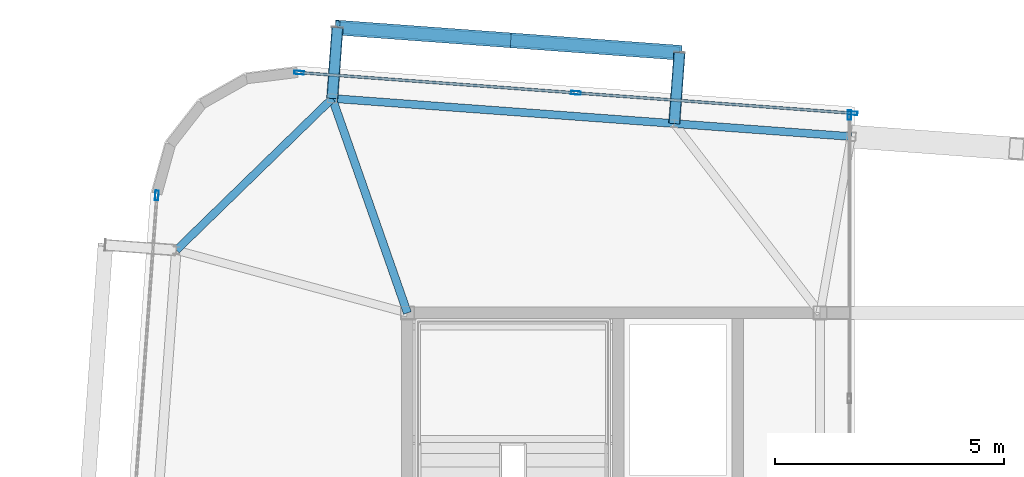
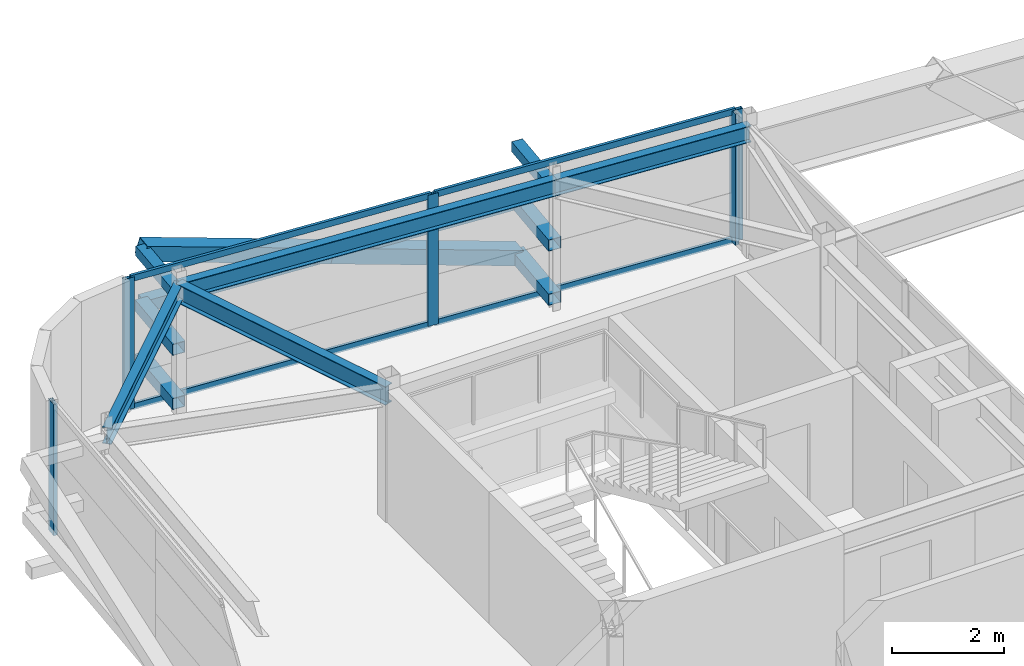
# One storey, part 24 of 40: 18 members, 4 beams, 3 elements without a shape of their own.
"""IFC4 building model written with IfcOpenShell, lengths in metres."""

from ifc_helpers import new_model, si_unit, direction, frame, origin, origin_2d, place, context, subcontext, project, spatial, hollow_rectangle, i_section, extrude, source, transform, mapped, material, layer, layer_set, material_profile, profile_set, type_object, element, aggregate, save


model = new_model("IFC4")

# Units and contexts
model_context = context("Model", 3, precision=1e-05, world=origin(), true_north=direction((0.0, 1.0)))
body_context = subcontext(model_context, "Body", "Model", "MODEL_VIEW")
ifc_project = project(units=[si_unit("LENGTHUNIT", "METRE"), si_unit("AREAUNIT", "SQUARE_METRE"), si_unit("VOLUMEUNIT", "CUBIC_METRE"), si_unit("PLANEANGLEUNIT", "RADIAN"), si_unit("MASSUNIT", "GRAM", prefix="KILO")], contexts=[model_context])

# Site, building, storey
site_placement = place(None, origin())
site = spatial("IfcSite", under=ifc_project, at=site_placement, CompositionType="ELEMENT")
building_placement = place(site_placement, origin())
building = spatial("IfcBuilding", under=site, at=building_placement, Name="Taldren Reach Tower", CompositionType="ELEMENT")
storey_placement = place(building_placement, frame((0.0, 0.0, 233.449951171875)))
storey = spatial("IfcBuildingStorey", under=building, at=storey_placement, Name="L71", CompositionType="ELEMENT", Elevation=233.449951171875)

# Members
ifc_material_1 = material(Name="Steel Gr 350 (C350L0)", Category="steel")
ifc_material_profile_1 = material_profile(ifc_material_1, hollow_rectangle(XDim=0.25, YDim=0.25, WallThickness=0.010009765625, at=origin_2d()), Name="250x250x10.0SHS")
ifc_profile_set_1 = profile_set([ifc_material_profile_1], Name="Steel Gr 350 (C350L0)")
member_type_1 = type_object("IfcMemberType", Name="MB-POST250", PredefinedType="POST", material=ifc_profile_set_1)
shared_shape_1 = source(origin(), body_context, "Body", "SweptSolid", [
    extrude(hollow_rectangle(XDim=0.25, YDim=0.25, WallThickness=0.010009765625, at=origin_2d()), origin(), (0.0, 0.0, 1.0), 1.5498046875),
])
for number, where, z_axis, x_axis, name in (
    (1, (17.35986328125, 36.678955078125, 0.219970703125), (0.073250797913, 0.997313551801, 0.0), (-0.997313551801, 0.073250797913, 0.0), "Exoskeleton base diaphragm tie strut B5-N1 L71"),
    (2, (17.35986328125, 36.678955078125, 1.405029296875), (0.073250797913, 0.997313551801, 0.0), (-0.997313551801, 0.073250797913, 0.0), "Exoskeleton mid-tier diaphragm tie B5-N1 L71"),
):
    element("IfcMember", number, at=place(storey_placement, frame(where, z_axis=z_axis, x_axis=x_axis)), inside=storey, type_object=member_type_1, Name=name, PredefinedType="POST", context=body_context, shape_type="MappedRepresentation", body=[
        mapped(shared_shape_1, transform((0.0, 0.0, 0.0), scale=1.0)),
    ])
shared_shape_2 = source(origin(), body_context, "Body", "SweptSolid", [
    extrude(hollow_rectangle(XDim=0.25, YDim=0.25, WallThickness=0.010009765625, at=origin_2d()), origin(), (0.0, 0.0, 1.0), 1.550048828125),
])
for number, where, z_axis, x_axis, name in (
    (3, (24.819580078125, 36.131103515625, 0.219970703125), (0.07323929162, 0.997314396849, 0.0), (-0.997314396849, 0.07323929162, 0.0), "Exoskeleton base diaphragm tie strut B5-N2 L71"),
    (4, (24.819580078125, 36.131103515625, 1.405029296875), (0.07323929162, 0.997314396849, 0.0), (-0.997314396849, 0.07323929162, 0.0), "Exoskeleton mid-tier diaphragm tie B5-N2 L71"),
):
    element("IfcMember", number, at=place(storey_placement, frame(where, z_axis=z_axis, x_axis=x_axis)), inside=storey, type_object=member_type_1, Name=name, PredefinedType="POST", context=body_context, shape_type="MappedRepresentation", body=[
        mapped(shared_shape_2, transform((0.0, 0.0, 0.0), scale=1.0)),
    ])
ifc_material_2 = material(Name="Steel Gr 450 (C450L0)", Category="steel")
ifc_material_profile_2 = material_profile(ifc_material_2, hollow_rectangle(XDim=0.219970703125, YDim=0.219970703125, WallThickness=0.00830078125, at=origin_2d()), Name="220x220x8.2SHS")
ifc_profile_set_2 = profile_set([ifc_material_profile_2], Name="Steel Gr 450 (C450L0)")
member_type_2 = type_object("IfcMemberType", Name="MB-TIE219", PredefinedType="STRUT", material=ifc_profile_set_2)
shared_shape_3 = source(origin(), body_context, "Body", "SweptSolid", [
    extrude(hollow_rectangle(XDim=0.219970703125, YDim=0.219970703125, WallThickness=0.00830078125, at=origin_2d()), origin(), (0.0, 0.0, 1.0), 1.5498046875),
])
member_1_placement = place(storey_placement, frame((17.35986328125, 36.678955078125, 2.590087890625), z_axis=(0.073250797913, 0.997313551801, 0.0), x_axis=(-0.997313551801, 0.073250797913, 0.0)))
element("IfcMember", 5, at=member_1_placement, inside=storey, type_object=member_type_2, Name="Exoskeleton diaphragm tie strut B5-N1 L71", PredefinedType="STRUT", context=body_context, shape_type="MappedRepresentation", body=[
    mapped(shared_shape_3, transform((0.0, 0.0, 0.0), scale=1.0)),
])
shared_shape_4 = source(origin(), body_context, "Body", "SweptSolid", [
    extrude(hollow_rectangle(XDim=0.219970703125, YDim=0.219970703125, WallThickness=0.00830078125, at=origin_2d()), origin(), (0.0, 0.0, 1.0), 1.550048828125),
])
member_2_placement = place(storey_placement, frame((24.819580078125, 36.131103515625, 2.590087890625), z_axis=(0.07323929162, 0.997314396849, 0.0), x_axis=(-0.997314396849, 0.07323929162, 0.0)))
element("IfcMember", 6, at=member_2_placement, inside=storey, type_object=member_type_2, Name="Exoskeleton diaphragm tie strut B5-N2 L71", PredefinedType="STRUT", context=body_context, shape_type="MappedRepresentation", body=[
    mapped(shared_shape_4, transform((0.0, 0.0, 0.0), scale=1.0)),
])

# Beams
ifc_material_3 = material(Name="Steel Gr 350 (350PLUS)", Category="steel")
ifc_material_profile_3 = material_profile(ifc_material_3, i_section(OverallWidth=0.172119140625, OverallDepth=0.35888671875, WebThickness=0.008056640625, FlangeThickness=0.012939453125, at=origin_2d()), Name="360UB56.7")
ifc_profile_set_3 = profile_set([ifc_material_profile_3], Name="Steel Gr 350 (350PLUS)")
beam_type_1 = type_object("IfcBeamType", Name="SP-UB360", PredefinedType="SPANDREL", material=ifc_profile_set_3)
shared_shape_5 = source(origin(), body_context, "Body", "SweptSolid", [
    extrude(i_section(OverallWidth=0.172119140625, OverallDepth=0.35888671875, WebThickness=0.008056640625, FlangeThickness=0.012939453125, at=origin_2d()), origin(), (0.0, 0.0, 1.0), 7.479736328125),
])
beam_1_placement = place(storey_placement, frame((24.819580078125, 36.131103515625, 2.6904296875), z_axis=(-0.997314045547, 0.073244075215, 0.0), x_axis=(-0.073244075215, -0.997314045547, 0.0)))
element("IfcBeam", 7, at=beam_1_placement, inside=storey, type_object=beam_type_1, Name="Perimeter spandrel B5 N2-N1 L71", PredefinedType="SPANDREL", context=body_context, shape_type="MappedRepresentation", body=[
    mapped(shared_shape_5, transform((0.0, 0.0, 0.0), scale=1.0)),
])
shared_shape_6 = source(origin(), body_context, "Body", "SweptSolid", [
    extrude(i_section(OverallWidth=0.172119140625, OverallDepth=0.35888671875, WebThickness=0.008056640625, FlangeThickness=0.012939453125, at=origin_2d()), origin(), (0.0, 0.0, 1.0), 4.74609375),
])
beam_2_placement = place(storey_placement, frame((17.35986328125, 36.678955078125, 2.6904296875), z_axis=(-0.716711338436, -0.697369957309, 0.0), x_axis=(0.697369957309, -0.716711338436, 0.0)))
element("IfcBeam", 8, at=beam_2_placement, inside=storey, type_object=beam_type_1, Name="Perimeter spandrel B5 N1-W3 L71", PredefinedType="SPANDREL", context=body_context, shape_type="MappedRepresentation", body=[
    mapped(shared_shape_6, transform((0.0, 0.0, 0.0), scale=1.0)),
])
shared_shape_7 = source(origin(), body_context, "Body", "SweptSolid", [
    extrude(i_section(OverallWidth=0.172119140625, OverallDepth=0.35888671875, WebThickness=0.008056640625, FlangeThickness=0.012939453125, at=origin_2d()), origin(), (0.0, 0.0, 1.0), 3.8701171875),
])
beam_3_placement = place(storey_placement, frame((28.67919921875, 35.84765625, 2.6904296875), z_axis=(-0.997314202545, 0.073241937451, 0.0), x_axis=(-0.073241937451, -0.997314202545, 0.0)))
element("IfcBeam", 9, at=beam_3_placement, inside=storey, type_object=beam_type_1, Name="Perimeter spandrel B5 PJN1-N2 L71", PredefinedType="SPANDREL", context=body_context, shape_type="MappedRepresentation", body=[
    mapped(shared_shape_7, transform((0.0, 0.0, 0.0), scale=1.0)),
])
ifc_material_profile_4 = material_profile(ifc_material_3, i_section(OverallWidth=0.177978515625, OverallDepth=0.406005859375, WebThickness=0.0078125, FlangeThickness=0.0126953125, at=origin_2d()), Name="410UB59.7")
ifc_profile_set_4 = profile_set([ifc_material_profile_4], Name="Steel Gr 350 (350PLUS)")
beam_type_2 = type_object("IfcBeamType", Name="BM-UB410", PredefinedType="BEAM", material=ifc_profile_set_4)
shared_shape_8 = source(origin(), body_context, "Body", "SweptSolid", [
    extrude(i_section(OverallWidth=0.177978515625, OverallDepth=0.406005859375, WebThickness=0.0078125, FlangeThickness=0.0126953125, at=origin_2d()), origin(), (0.0, 0.0, 1.0), 4.9580078125),
])
beam_4_placement = place(storey_placement, frame((19.0, 32.0, 2.6669921875), z_axis=(-0.330800025288, 0.943700875951, 0.0), x_axis=(-0.943700875951, -0.330800025288, 0.0)))
element("IfcBeam", 10, at=beam_4_placement, inside=storey, type_object=beam_type_2, Name="Primary floor girder B5-N1 L71", PredefinedType="BEAM", context=body_context, shape_type="MappedRepresentation", body=[
    mapped(shared_shape_8, transform((0.0, 0.0, 0.0), scale=1.0)),
])

# Members
shared_shape_9 = source(origin(), body_context, "Body", "SweptSolid", [
    extrude(hollow_rectangle(XDim=0.25, YDim=0.25, WallThickness=0.010009765625, at=origin_2d()), origin(), (0.0, 0.0, 1.0), 7.479736328125),
])
member_3_placement = place(storey_placement, frame((17.473388671875, 38.224609375, 1.405029296875), z_axis=(0.997316429287, -0.07321161024, 0.0), x_axis=(0.07321161024, 0.997316429287, 0.0)))
element("IfcMember", 11, at=member_3_placement, inside=storey, type_object=member_type_1, Name="Exoskeleton mid-height ring chord B5-N1 L71", PredefinedType="POST", context=body_context, shape_type="MappedRepresentation", body=[
    mapped(shared_shape_9, transform((0.0, 0.0, 0.0), scale=1.0)),
])
ifc_material_profile_5 = material_profile(ifc_material_2, hollow_rectangle(XDim=0.324951171875, YDim=0.324951171875, WallThickness=0.0126953125, at=origin_2d()), Name="325x325x12.7SHS")
ifc_profile_set_5 = profile_set([ifc_material_profile_5], Name="Steel Gr 450 (C450L0)")
member_type_3 = type_object("IfcMemberType", Name="MB-BR324", PredefinedType="BRACE", material=ifc_profile_set_5)
shared_shape_10 = source(origin(), body_context, "Body", "SweptSolid", [
    extrude(hollow_rectangle(XDim=0.324951171875, YDim=0.324951171875, WallThickness=0.0126953125, at=origin_2d()), origin(), (0.0, 0.0, 1.0), 3.92333984375),
])
member_4_placement = place(storey_placement, frame((21.203369140625, 37.95068359375, 1.405029296875), z_axis=(-0.950729270276, 0.069820542038, 0.302057852986), x_axis=(-0.07324169103, -0.997314220642, 0.0)))
element("IfcMember", 12, at=member_4_placement, inside=storey, type_object=member_type_3, Name="Exoskeleton Diagrid Brace B5-N1 L71", PredefinedType="BRACE", context=body_context, shape_type="MappedRepresentation", body=[
    mapped(shared_shape_10, transform((0.0, 0.0, 0.0), scale=1.0)),
])
shared_shape_11 = source(origin(), body_context, "Body", "SweptSolid", [
    extrude(hollow_rectangle(XDim=0.324951171875, YDim=0.324951171875, WallThickness=0.0126953125, at=origin_2d()), origin(), (0.0, 0.0, 1.0), 3.923095703125),
])
member_5_placement = place(storey_placement, frame((24.93310546875, 37.677001953125, 0.219970703125), z_axis=(-0.950727418123, 0.069762743714, 0.302077036563), x_axis=(-0.073181527281, -0.997318637179, 0.0)))
element("IfcMember", 13, at=member_5_placement, inside=storey, type_object=member_type_3, Name="Exoskeleton Diagrid Brace B5-N1 L71", PredefinedType="BRACE", context=body_context, shape_type="MappedRepresentation", body=[
    mapped(shared_shape_11, transform((0.0, 0.0, 0.0), scale=1.0)),
])

# Curtain wall, members
ifc_material_4 = material(Name="Aluminium and Low-E Glass Unitised System", Category="aluminium")
ifc_layer = layer(ifc_material_4, 0.159912109375)
ifc_layer_set = layer_set([ifc_layer], Name="Aluminium and Low-E Glass Unitised System")
curtain_wall_type = type_object("IfcCurtainWallType", Name="CW-SYS-7", PredefinedType="NOTDEFINED", material=ifc_layer_set)
curtain_wall_1_placement = place(storey_placement, origin())
curtain_wall_1 = element("IfcCurtainWall", 14, at=curtain_wall_1_placement, inside=storey, type_object=curtain_wall_type, Name="Unitised curtain wall CW-L71-NWING", PredefinedType="NOTDEFINED")
ifc_material_5 = material(Name="Anodised Aluminium 6063-T6", Category="aluminium")
ifc_material_profile_6 = material_profile(ifc_material_5, hollow_rectangle(XDim=0.06005859375, YDim=0.135009765625, WallThickness=0.00341796875, at=origin_2d()), Name="ALU-135x60x3.5RHS")
ifc_profile_set_6 = profile_set([ifc_material_profile_6], Name="Anodised Aluminium 6063-T6")
member_type_4 = type_object("IfcMemberType", Name="CW-TRN-150", PredefinedType="USERDEFINED", material=ifc_profile_set_6)
shared_shape_12 = source(origin(), body_context, "Body", "SweptSolid", [
    extrude(hollow_rectangle(XDim=0.06005859375, YDim=0.135009765625, WallThickness=0.00341796875, at=origin_2d()), origin(), (0.0, 0.0, 1.0), 5.979248046875),
])
member_6_placement = place(storey_placement, frame((28.67529296875, 36.359375, 0.030029296875), z_axis=(-0.997316444899, 0.073211397572, 0.0), x_axis=(-0.073211397572, -0.997316444899, 0.0)))
member_6 = element("IfcMember", 15, at=member_6_placement, type_object=member_type_4, Name="CW-7 transom 1.1", ObjectType="TRANSOM", PredefinedType="USERDEFINED", context=body_context, shape_type="MappedRepresentation", body=[
    mapped(shared_shape_12, transform((0.0, 0.0, 0.0), scale=1.0)),
])
member_7_placement = place(storey_placement, frame((28.67529296875, 36.359375, 2.840087890625), z_axis=(-0.997316444899, 0.073211397572, 0.0), x_axis=(-0.073211397572, -0.997316444899, 0.0)))
member_7 = element("IfcMember", 16, at=member_7_placement, type_object=member_type_4, Name="CW-7 transom 1.2", ObjectType="TRANSOM", PredefinedType="USERDEFINED", context=body_context, shape_type="MappedRepresentation", body=[
    mapped(shared_shape_12, transform((0.0, 0.0, 0.0), scale=1.0)),
])
member_8_placement = place(storey_placement, frame((22.63720703125, 36.802734375, 0.030029296875), z_axis=(-0.997316444899, 0.073211397572, 0.0), x_axis=(-0.073211397572, -0.997316444899, 0.0)))
member_8 = element("IfcMember", 17, at=member_8_placement, type_object=member_type_4, Name="CW-7 transom 2.1", ObjectType="TRANSOM", PredefinedType="USERDEFINED", context=body_context, shape_type="MappedRepresentation", body=[
    mapped(shared_shape_12, transform((0.0, 0.0, 0.0), scale=1.0)),
])
member_9_placement = place(storey_placement, frame((22.63720703125, 36.802734375, 2.840087890625), z_axis=(-0.997316444899, 0.073211397572, 0.0), x_axis=(-0.073211397572, -0.997316444899, 0.0)))
member_9 = element("IfcMember", 18, at=member_9_placement, type_object=member_type_4, Name="CW-7 transom 2.2", ObjectType="TRANSOM", PredefinedType="USERDEFINED", context=body_context, shape_type="MappedRepresentation", body=[
    mapped(shared_shape_12, transform((0.0, 0.0, 0.0), scale=1.0)),
])
ifc_material_profile_7 = material_profile(ifc_material_5, hollow_rectangle(XDim=0.074951171875, YDim=0.2099609375, WallThickness=0.00439453125, at=origin_2d()), Name="ALU-210x75x4.5RHS")
ifc_profile_set_7 = profile_set([ifc_material_profile_7], Name="Anodised Aluminium 6063-T6")
member_type_5 = type_object("IfcMemberType", Name="CW-MUL-200", PredefinedType="MULLION", material=ifc_profile_set_7)
shared_shape_13 = source(origin(), body_context, "Body", "SweptSolid", [
    extrude(hollow_rectangle(XDim=0.074951171875, YDim=0.2099609375, WallThickness=0.00439453125, at=origin_2d()), origin(), (0.0, 0.0, 1.0), 2.8701171875),
])
member_10_placement = place(storey_placement, frame((28.712646484375, 36.3564453125, 0.0), z_axis=(0.0, 0.0, 1.0), x_axis=(-0.073237944038, -0.99731449581, 0.0)))
member_10 = element("IfcMember", 19, at=member_10_placement, type_object=member_type_5, Name="CW-7 mullion 1", PredefinedType="MULLION", context=body_context, shape_type="MappedRepresentation", body=[
    mapped(shared_shape_13, transform((0.0, 0.0, 0.0), scale=1.0)),
])
member_11_placement = place(storey_placement, frame((22.674560546875, 36.800048828125, 0.0), z_axis=(0.0, 0.0, 1.0), x_axis=(-0.073237944038, -0.99731449581, 0.0)))
member_11 = element("IfcMember", 20, at=member_11_placement, type_object=member_type_5, Name="CW-7 mullion 2", PredefinedType="MULLION", context=body_context, shape_type="MappedRepresentation", body=[
    mapped(shared_shape_13, transform((0.0, 0.0, 0.0), scale=1.0)),
])
member_12_placement = place(storey_placement, frame((16.63671875, 37.243408203125, 0.0), z_axis=(0.0, 0.0, 1.0), x_axis=(-0.073237944038, -0.99731449581, 0.0)))
member_12 = element("IfcMember", 21, at=member_12_placement, type_object=member_type_5, Name="CW-7 mullion 3", PredefinedType="MULLION", context=body_context, shape_type="MappedRepresentation", body=[
    mapped(shared_shape_13, transform((0.0, 0.0, 0.0), scale=1.0)),
])
aggregate(curtain_wall_1, [member_10, member_11, member_12, member_6, member_7, member_8, member_9])

# Curtain wall, member
curtain_wall_2_placement = place(storey_placement, origin())
curtain_wall_2 = element("IfcCurtainWall", 22, at=curtain_wall_2_placement, inside=storey, type_object=curtain_wall_type, Name="Unitised curtain wall CW7-L71-PNW", PredefinedType="NOTDEFINED")
member_13_placement = place(storey_placement, frame((28.639892578125, 36.31640625, 0.0), z_axis=(0.0, 0.0, 1.0), x_axis=(-1.0, 0.0, 0.0)))
member_13 = element("IfcMember", 23, at=member_13_placement, type_object=member_type_5, Name="CW-7 mullion 3", PredefinedType="MULLION", context=body_context, shape_type="MappedRepresentation", body=[
    mapped(shared_shape_13, transform((0.0, 0.0, 0.0), scale=1.0)),
])
aggregate(curtain_wall_2, [member_13])

curtain_wall_3_placement = place(storey_placement, origin())
curtain_wall_3 = element("IfcCurtainWall", 24, at=curtain_wall_3_placement, inside=storey, type_object=curtain_wall_type, Name="Unitised curtain wall CW-L71-W", PredefinedType="NOTDEFINED")
member_14_placement = place(storey_placement, frame((13.53466796875, 34.56591796875, 0.0), z_axis=(0.0, 0.0, 1.0), x_axis=(0.997314470951, -0.073238282558, 0.0)))
member_14 = element("IfcMember", 25, at=member_14_placement, type_object=member_type_5, Name="CW-7 mullion 1", PredefinedType="MULLION", context=body_context, shape_type="MappedRepresentation", body=[
    mapped(shared_shape_13, transform((0.0, 0.0, 0.0), scale=1.0)),
])
aggregate(curtain_wall_3, [member_14])

save(model, "model.ifc")
